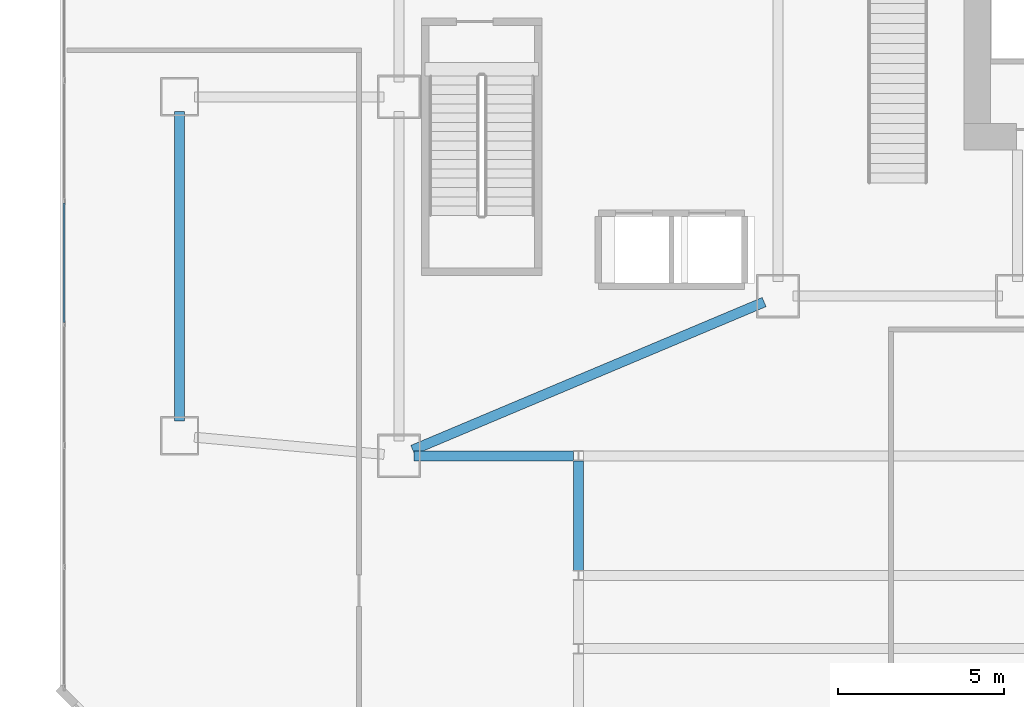
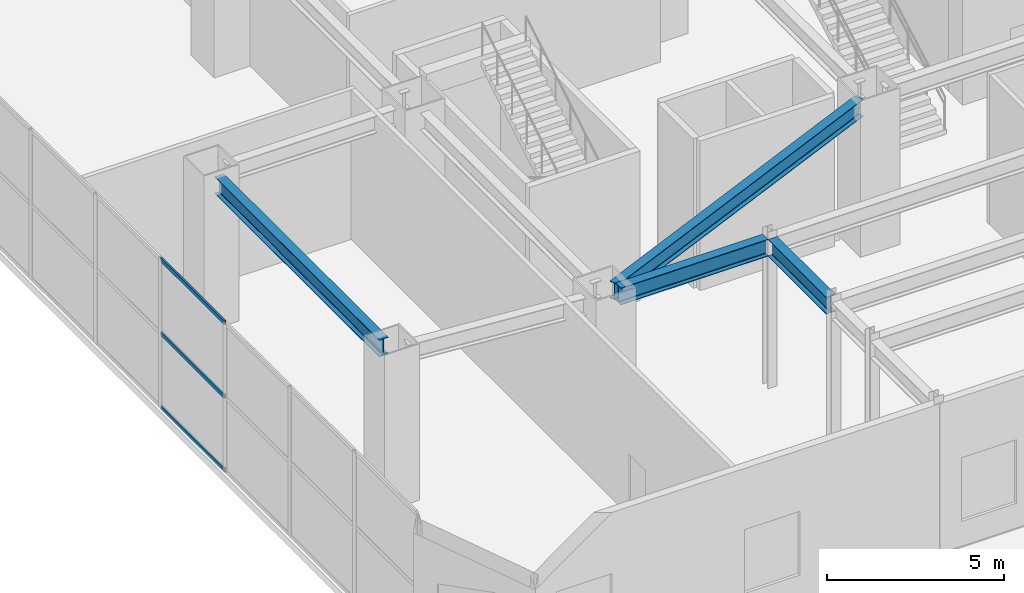
# One storey, part 7 of 37: 4 beams, 3 members, 1 element without a shape of its own.
"""IFC4 building model written with IfcOpenShell, lengths in metres."""

from ifc_helpers import new_model, si_unit, direction, frame, origin, origin_2d, place, context, subcontext, project, spatial, hollow_rectangle, i_section, extrude, material, layer, layer_set, material_profile, profile_set, type_object, element, aggregate, save


model = new_model("IFC4")

# Units and contexts
model_context = context("Model", 3, precision=1e-05, world=origin(), true_north=direction((0.0, 1.0)))
body_context = subcontext(model_context, "Body", "Model", "MODEL_VIEW")
ifc_project = project(units=[si_unit("LENGTHUNIT", "METRE"), si_unit("AREAUNIT", "SQUARE_METRE"), si_unit("VOLUMEUNIT", "CUBIC_METRE"), si_unit("PLANEANGLEUNIT", "RADIAN"), si_unit("MASSUNIT", "GRAM", prefix="KILO")], contexts=[model_context])

# Site, building, storey
site_placement = place(None, origin())
site = spatial("IfcSite", under=ifc_project, at=site_placement, CompositionType="ELEMENT")
building_placement = place(site_placement, origin())
building = spatial("IfcBuilding", under=site, at=building_placement, Name="Haolan Belvedere Tower", CompositionType="ELEMENT")
storey_placement = place(building_placement, frame((0.0, 0.0, 10.199951171875)))
storey = spatial("IfcBuildingStorey", under=building, at=storey_placement, Name="L02", CompositionType="ELEMENT", Elevation=10.199951171875)

# Beams
ifc_material_1 = material(Name="Steel Q355B", Category="steel")
ifc_material_profile_1 = material_profile(ifc_material_1, i_section(OverallWidth=0.300048828125, OverallDepth=0.587890625, WebThickness=0.011962890625, FlangeThickness=0.02001953125, FilletRadius=0.028076171875, at=origin_2d()), Name="Steel Q355B")
ifc_profile_set_1 = profile_set([ifc_material_profile_1], Name="Steel Q355B")
beam_type = type_object("IfcBeamType", Name="BM-HM588x300x12x20", PredefinedType="SPANDREL", material=ifc_profile_set_1)
beam_1_placement = place(storey_placement, frame((13.0146484375, 16.974609375, 4.865966796875), z_axis=(0.921637779233, 0.388051290284, 0.0), x_axis=(-0.388051290284, 0.921637779233, 0.0)))
element("IfcBeam", 1, at=beam_1_placement, inside=storey, type_object=beam_type, Name="L02 spandrel girder MC-T2-SW-MC-T3-SW", PredefinedType="SPANDREL", context=body_context, shape_type="SweptSolid", body=[
    extrude(i_section(OverallWidth=0.300048828125, OverallDepth=0.587890625, WebThickness=0.011962890625, FlangeThickness=0.02001953125, FilletRadius=0.028076171875, at=origin_2d()), origin(), (0.0, 0.0, 1.0), 11.46923828125),
])
beam_2_placement = place(storey_placement, frame((6.0, 17.85009765625, 4.865966796875), z_axis=(0.0, 1.0, 0.0), x_axis=(-1.0, 0.0, 0.0)))
element("IfcBeam", 2, at=beam_2_placement, inside=storey, type_object=beam_type, Name="L02 spandrel girder MC-T1-SW-MC-T1-NW", PredefinedType="SPANDREL", context=body_context, shape_type="SweptSolid", body=[
    extrude(i_section(OverallWidth=0.300048828125, OverallDepth=0.587890625, WebThickness=0.011962890625, FlangeThickness=0.02001953125, FilletRadius=0.028076171875, at=origin_2d()), origin(), (0.0, 0.0, 1.0), 9.2998046875),
])
beam_3_placement = place(storey_placement, frame((18.0, 13.35009765625, 4.865966796875), z_axis=(0.0, 1.0, 0.0), x_axis=(-1.0, 0.0, 0.0)))
element("IfcBeam", 3, at=beam_3_placement, inside=storey, type_object=beam_type, Name="L02 spandrel girder PC-CS3-W-PC-CS4-W", PredefinedType="SPANDREL", context=body_context, shape_type="SweptSolid", body=[
    extrude(i_section(OverallWidth=0.300048828125, OverallDepth=0.587890625, WebThickness=0.011962890625, FlangeThickness=0.02001953125, FilletRadius=0.028076171875, at=origin_2d()), origin(), (0.0, 0.0, 1.0), 3.2998046875),
])
beam_4_placement = place(storey_placement, frame((17.85009765625, 16.800048828125, 4.865966796875), z_axis=(-1.0, 0.0, 0.0), x_axis=(0.0, -1.0, 0.0)))
element("IfcBeam", 4, at=beam_4_placement, inside=storey, type_object=beam_type, Name="L02 spandrel girder PC-CS4-W-MC-T2-SW", PredefinedType="SPANDREL", context=body_context, shape_type="SweptSolid", body=[
    extrude(i_section(OverallWidth=0.300048828125, OverallDepth=0.587890625, WebThickness=0.011962890625, FlangeThickness=0.02001953125, FilletRadius=0.028076171875, at=origin_2d()), origin(), (0.0, 0.0, 1.0), 4.800048828125),
])

# Curtain wall, members
ifc_material_2 = material(Name="Anodised champagne-silver aluminium 6063-T6 and Low-E glass", Category="aluminium")
ifc_layer = layer(ifc_material_2, 0.179931640625, Name="Anodised champagne-silver aluminium 6063-T6 and Low-E glass")
ifc_layer_set = layer_set([ifc_layer], Name="Anodised champagne-silver aluminium 6063-T6 and Low-E glass")
curtain_wall_type = type_object("IfcCurtainWallType", Name="CW-SYS-01", PredefinedType="NOTDEFINED", material=ifc_layer_set)
curtain_wall_placement = place(storey_placement, origin())
curtain_wall = element("IfcCurtainWall", 5, at=curtain_wall_placement, inside=storey, type_object=curtain_wall_type, Name="L02 CW-SYS-01 ribbon curtain wall 4.1", PredefinedType="NOTDEFINED")
ifc_material_3 = material(Name="Anodised aluminium 6063-T6", Category="aluminium")
ifc_material_profile_2 = material_profile(ifc_material_3, hollow_rectangle(XDim=0.06005859375, YDim=0.139892578125, WallThickness=0.00390625, at=origin_2d()), Name="Anodised aluminium 6063-T6")
ifc_profile_set_2 = profile_set([ifc_material_profile_2], Name="Anodised aluminium 6063-T6")
member_type = type_object("IfcMemberType", Name="CW-SYS-01-TRN", PredefinedType="USERDEFINED", material=ifc_profile_set_2)
member_1_placement = place(storey_placement, frame((2.530029296875, 24.40673828125, 0.030029296875), z_axis=(0.0, -1.0, 0.0), x_axis=(1.0, 0.0, 0.0)))
member_1 = element("IfcMember", 6, at=member_1_placement, type_object=member_type, Name="CW-01 transom 9.1", ObjectType="TRANSOM", PredefinedType="USERDEFINED", context=body_context, shape_type="SweptSolid", body=[
    extrude(hollow_rectangle(XDim=0.06005859375, YDim=0.139892578125, WallThickness=0.00390625, at=origin_2d()), origin(), (0.0, 0.0, 1.0), 3.596435546875),
])
member_2_placement = place(storey_placement, frame((2.530029296875, 24.40673828125, 2.580078125), z_axis=(0.0, -1.0, 0.0), x_axis=(1.0, 0.0, 0.0)))
member_2 = element("IfcMember", 7, at=member_2_placement, type_object=member_type, Name="CW-01 transom 9.2", ObjectType="TRANSOM", PredefinedType="USERDEFINED", context=body_context, shape_type="SweptSolid", body=[
    extrude(hollow_rectangle(XDim=0.06005859375, YDim=0.139892578125, WallThickness=0.00390625, at=origin_2d()), origin(), (0.0, 0.0, 1.0), 3.596435546875),
])
member_3_placement = place(storey_placement, frame((2.530029296875, 24.40673828125, 5.130126953125), z_axis=(0.0, -1.0, 0.0), x_axis=(1.0, 0.0, 0.0)))
member_3 = element("IfcMember", 8, at=member_3_placement, type_object=member_type, Name="CW-01 transom 9.3", ObjectType="TRANSOM", PredefinedType="USERDEFINED", context=body_context, shape_type="SweptSolid", body=[
    extrude(hollow_rectangle(XDim=0.06005859375, YDim=0.139892578125, WallThickness=0.00390625, at=origin_2d()), origin(), (0.0, 0.0, 1.0), 3.596435546875),
])
aggregate(curtain_wall, [member_1, member_2, member_3])

save(model, "model.ifc")
